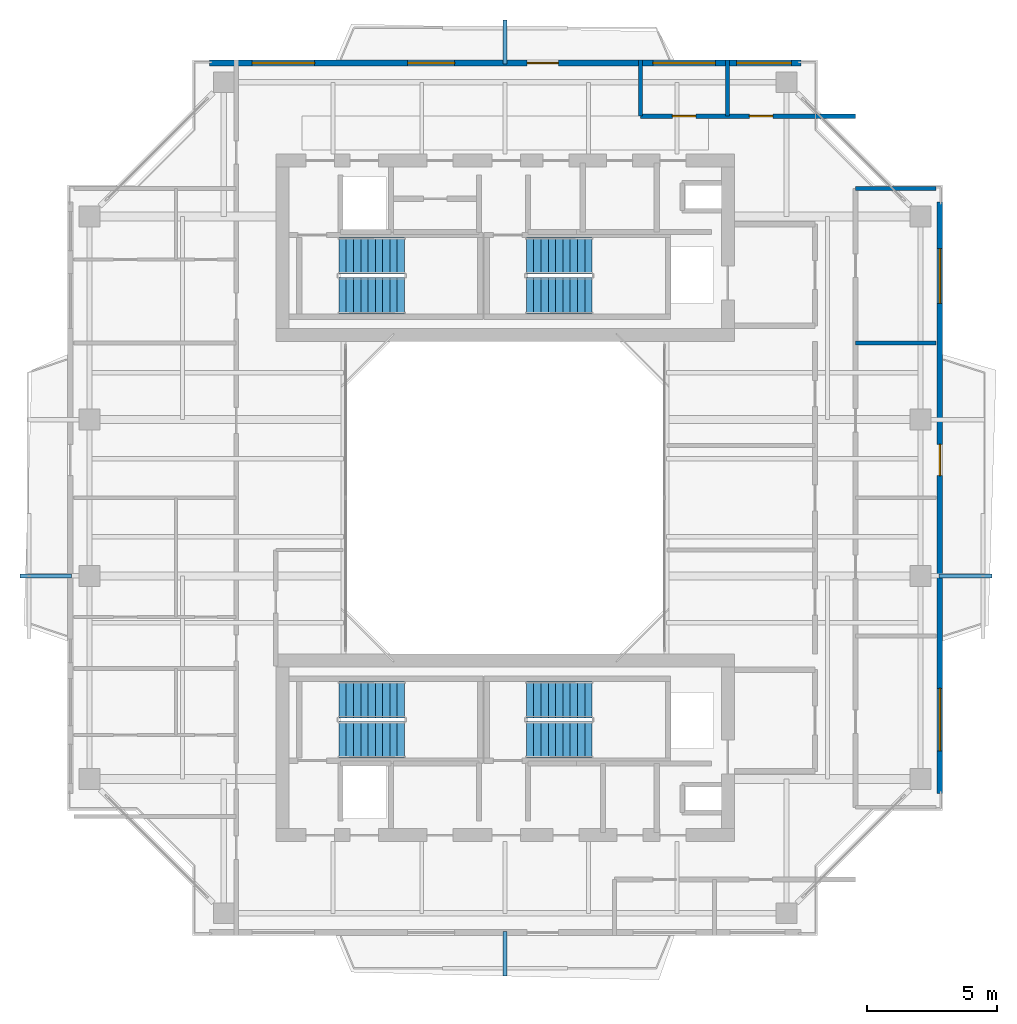
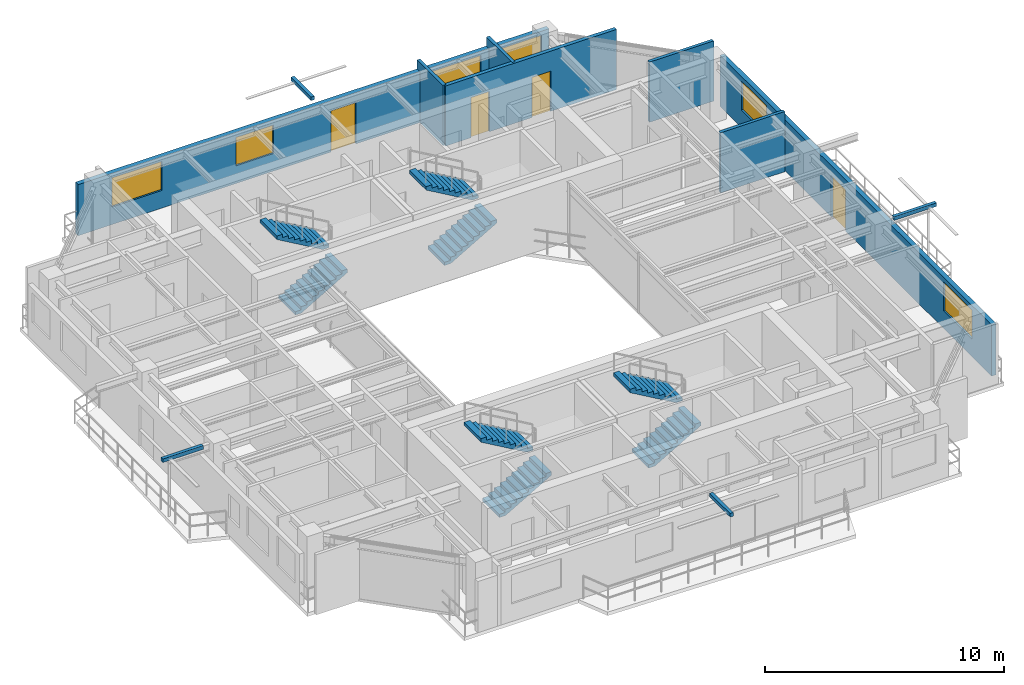
# One storey, part 13 of 16: 8 stair flights, 7 walls, 6 windows, 4 discrete accessories, 4 doors, 10 openings, 4 elements without a shape of their own.
"""IFC4 building model written with IfcOpenShell, lengths in metres."""

from ifc_helpers import new_model, si_unit, direction, frame, frame_2d, origin, origin_2d, place, context, subcontext, project, spatial, polyline, rectangle, outline, extrude, source, transform, mapped, material, layer, layer_set, type_object, element, fill, aggregate, save


model = new_model("IFC4")

# Units and contexts
model_context = context("Model", 3, precision=1e-05, world=origin(), true_north=direction((0.0, 1.0)))
body_context = subcontext(model_context, "Body", "Model", "MODEL_VIEW")
ifc_project = project(units=[si_unit("LENGTHUNIT", "METRE"), si_unit("AREAUNIT", "SQUARE_METRE"), si_unit("VOLUMEUNIT", "CUBIC_METRE"), si_unit("PLANEANGLEUNIT", "RADIAN"), si_unit("MASSUNIT", "GRAM", prefix="KILO"), si_unit("THERMODYNAMICTEMPERATUREUNIT", "KELVIN"), si_unit("POWERUNIT", "WATT")], contexts=[model_context])

# Site, building, storey
site_placement = place(None, origin())
site = spatial("IfcSite", under=ifc_project, at=site_placement, CompositionType="ELEMENT")
building_placement = place(site_placement, origin())
building = spatial("IfcBuilding", under=site, at=building_placement, Name="Qiaomeng Ring Towers", CompositionType="ELEMENT")
storey_placement = place(building_placement, frame((0.0, 0.0, 210.0)))
storey = spatial("IfcBuildingStorey", under=building, at=storey_placement, Name="L61", CompositionType="ELEMENT", Elevation=210.0)

# Wall, openings, windows, door
ifc_material_1 = material(Name="Precast concrete C40", Category="concrete")
ifc_layer_1 = layer(ifc_material_1, 0.219970703125, Name="Precast concrete C40")
ifc_layer_set_1 = layer_set([ifc_layer_1], Name="Precast concrete C40")
wall_type_1 = type_object("IfcWallType", Name="ARC-WL-EW2", PredefinedType="STANDARD", material=ifc_layer_set_1)
wall_1_placement = place(storey_placement, frame((7.64990234375, 39.68994140625, 0.0), z_axis=(0.0, 0.0, 1.0), x_axis=(1.0, 0.0, 0.0)))
wall_1 = element("IfcWall", 1, at=wall_1_placement, inside=storey, type_object=wall_type_1, Name="L61 Tower 1 N Exterior Wall", PredefinedType="STANDARD", context=body_context, shape_type="SweptSolid", body=[
    extrude(rectangle(XDim=22.7001953125, YDim=0.219970703125, at=frame_2d((11.35009765625, 0.0))), origin(), (0.0, 0.0, 1.0), 2.610107421875),
])
opening_1_placement = place(wall_1_placement, frame((12.199951171875, 0.0, 0.0)))
opening_1 = element("IfcOpeningElement", 2, at=opening_1_placement, cuts=wall_1, Name="Opening BD1", PredefinedType="OPENING", context=body_context, shape_type="SweptSolid", body=[
    extrude(rectangle(XDim=1.199951171875, YDim=2.10009765625, at=frame_2d((0.60009765625, 1.050048828125))), frame((0.0, 0.119873046875, 0.0), z_axis=(0.0, -1.0, 0.0), x_axis=(1.0, 0.0, 0.0)), (0.0, 0.0, 1.0), 0.239990234375),
])
opening_2_placement = place(wall_1_placement, frame((1.636962890625, 0.0, 0.89990234375)))
opening_2 = element("IfcOpeningElement", 3, at=opening_2_placement, cuts=wall_1, Name="Opening WN6", PredefinedType="OPENING", context=body_context, shape_type="SweptSolid", body=[
    extrude(rectangle(XDim=2.39990234375, YDim=1.47998046875, at=frame_2d((1.199951171875, 0.739990234375))), frame((0.0, 0.119873046875, 0.0), z_axis=(0.0, -1.0, 0.0), x_axis=(1.0, 0.0, 0.0)), (0.0, 0.0, 1.0), 0.239990234375),
])
opening_3_placement = place(wall_1_placement, frame((7.612060546875, 0.0, 0.89990234375)))
opening_3 = element("IfcOpeningElement", 4, at=opening_3_placement, cuts=wall_1, Name="Opening WN1", PredefinedType="OPENING", context=body_context, shape_type="SweptSolid", body=[
    extrude(rectangle(XDim=1.800048828125, YDim=1.449951171875, at=frame_2d((0.89990234375, 0.72509765625))), frame((0.0, 0.119873046875, 0.0), z_axis=(0.0, -1.0, 0.0), x_axis=(1.0, 0.0, 0.0)), (0.0, 0.0, 1.0), 0.239990234375),
])
opening_4_placement = place(wall_1_placement, frame((20.237548828125, 0.0, 0.89990234375)))
opening_4 = element("IfcOpeningElement", 5, at=opening_4_placement, cuts=wall_1, Name="Opening WN4", PredefinedType="OPENING", context=body_context, shape_type="SweptSolid", body=[
    extrude(rectangle(XDim=2.10009765625, YDim=1.5, at=frame_2d((1.050048828125, 0.75))), frame((0.0, 0.119873046875, 0.0), z_axis=(0.0, -1.0, 0.0), x_axis=(1.0, 0.0, 0.0)), (0.0, 0.0, 1.0), 0.239990234375),
])
opening_5_placement = place(wall_1_placement, frame((17.02001953125, 0.0, 0.89990234375)))
opening_5 = element("IfcOpeningElement", 6, at=opening_5_placement, cuts=wall_1, Name="Opening WN6", PredefinedType="OPENING", context=body_context, shape_type="SweptSolid", body=[
    extrude(rectangle(XDim=2.39990234375, YDim=1.5, at=frame_2d((1.199951171875, 0.75))), frame((0.0, 0.119873046875, 0.0), z_axis=(0.0, -1.0, 0.0), x_axis=(1.0, 0.0, 0.0)), (0.0, 0.0, 1.0), 0.239990234375),
])
ifc_material_2 = material(Name="Low-E dark-grey laminated double glazing", Category="glass")
window_type_1 = type_object("IfcWindowType", Name="ARC-WN-4", PartitioningType="TRIPLE_PANEL_VERTICAL", PredefinedType="WINDOW", material=ifc_material_2)
shared_shape_1 = source(origin(), body_context, "Body", "SweptSolid", [
    extrude(rectangle(XDim=2.10009765625, YDim=1.5, at=frame_2d((1.050048828125, 0.75))), frame((0.0, 0.030029296875, 0.0), z_axis=(0.0, -1.0, 0.0), x_axis=(1.0, 0.0, 0.0)), (0.0, 0.0, 1.0), 0.06005859375),
])
window_1_placement = place(opening_4_placement, origin())
window_1 = element("IfcWindow", 7, at=window_1_placement, inside=storey, type_object=window_type_1, Name="L61 Exterior Window WN4", OverallHeight=1.5, OverallWidth=2.10009765625, PartitioningType="TRIPLE_PANEL_VERTICAL", PredefinedType="WINDOW", context=body_context, shape_type="MappedRepresentation", body=[
    mapped(shared_shape_1, transform((0.0, 0.0, 0.0), x_axis=(1.0, 0.0, 0.0), y_axis=(0.0, 1.0, 0.0), z_axis=(0.0, 0.0, 1.0), scale=1.0)),
])
fill(opening_4, window_1)
window_type_2 = type_object("IfcWindowType", Name="ARC-WN-1", PartitioningType="DOUBLE_PANEL_VERTICAL", PredefinedType="WINDOW", material=ifc_material_2)
shared_shape_2 = source(origin(), body_context, "Body", "SweptSolid", [
    extrude(rectangle(XDim=1.800048828125, YDim=1.449951171875, at=frame_2d((0.89990234375, 0.72509765625))), frame((0.0, 0.030029296875, 0.0), z_axis=(0.0, -1.0, 0.0), x_axis=(1.0, 0.0, 0.0)), (0.0, 0.0, 1.0), 0.06005859375),
])
window_2_placement = place(opening_3_placement, origin())
window_2 = element("IfcWindow", 8, at=window_2_placement, inside=storey, type_object=window_type_2, Name="L61 Exterior Window WN1", OverallHeight=1.449951171875, OverallWidth=1.800048828125, PartitioningType="DOUBLE_PANEL_VERTICAL", PredefinedType="WINDOW", context=body_context, shape_type="MappedRepresentation", body=[
    mapped(shared_shape_2, transform((0.0, 0.0, 0.0), x_axis=(1.0, 0.0, 0.0), y_axis=(0.0, 1.0, 0.0), z_axis=(0.0, 0.0, 1.0), scale=1.0)),
])
fill(opening_3, window_2)
window_type_3 = type_object("IfcWindowType", Name="ARC-WN-6", PartitioningType="TRIPLE_PANEL_VERTICAL", PredefinedType="WINDOW", material=ifc_material_2)
shared_shape_3 = source(origin(), body_context, "Body", "SweptSolid", [
    extrude(rectangle(XDim=2.39990234375, YDim=1.47998046875, at=frame_2d((1.199951171875, 0.739990234375))), frame((0.0, 0.030029296875, 0.0), z_axis=(0.0, -1.0, 0.0), x_axis=(1.0, 0.0, 0.0)), (0.0, 0.0, 1.0), 0.06005859375),
])
window_3_placement = place(opening_2_placement, origin())
window_3 = element("IfcWindow", 9, at=window_3_placement, inside=storey, type_object=window_type_3, Name="L61 Exterior Window WN6", OverallHeight=1.47998046875, OverallWidth=2.39990234375, PartitioningType="TRIPLE_PANEL_VERTICAL", PredefinedType="WINDOW", context=body_context, shape_type="MappedRepresentation", body=[
    mapped(shared_shape_3, transform((0.0, 0.0, 0.0), x_axis=(1.0, 0.0, 0.0), y_axis=(0.0, 1.0, 0.0), z_axis=(0.0, 0.0, 1.0), scale=1.0)),
])
fill(opening_2, window_3)
door_type_1 = type_object("IfcDoorType", Name="ARC-DR-BD1", OperationType="NOTDEFINED", PredefinedType="DOOR", material=ifc_material_2)
shared_shape_4 = source(origin(), body_context, "Body", "SweptSolid", [
    extrude(rectangle(XDim=1.199951171875, YDim=2.10009765625, at=frame_2d((0.60009765625, 1.050048828125))), frame((0.0, 0.02490234375, 0.0), z_axis=(0.0, -1.0, 0.0), x_axis=(1.0, 0.0, 0.0)), (0.0, 0.0, 1.0), 0.050048828125),
])
door_1_placement = place(opening_1_placement, origin())
door_1 = element("IfcDoor", 10, at=door_1_placement, inside=storey, type_object=door_type_1, Name="L61 N Balcony Glazed Door", OperationType="SINGLE_SWING_LEFT", OverallHeight=2.10009765625, OverallWidth=1.199951171875, PredefinedType="DOOR", context=body_context, shape_type="MappedRepresentation", body=[
    mapped(shared_shape_4, transform((0.0, 0.0, 0.0), x_axis=(1.0, 0.0, 0.0), y_axis=(0.0, 1.0, 0.0), z_axis=(0.0, 0.0, 1.0), scale=1.0)),
])
fill(opening_1, door_1)
shared_shape_5 = source(origin(), body_context, "Body", "SweptSolid", [
    extrude(rectangle(XDim=2.39990234375, YDim=1.5, at=frame_2d((1.199951171875, 0.75))), frame((0.0, 0.030029296875, 0.0), z_axis=(0.0, -1.0, 0.0), x_axis=(1.0, 0.0, 0.0)), (0.0, 0.0, 1.0), 0.06005859375),
])
window_4_placement = place(opening_5_placement, origin())
window_4 = element("IfcWindow", 11, at=window_4_placement, inside=storey, type_object=window_type_3, Name="L61 Exterior Window WN6", OverallHeight=1.5, OverallWidth=2.39990234375, PartitioningType="TRIPLE_PANEL_VERTICAL", PredefinedType="WINDOW", context=body_context, shape_type="MappedRepresentation", body=[
    mapped(shared_shape_5, transform((0.0, 0.0, 0.0), x_axis=(1.0, 0.0, 0.0), y_axis=(0.0, 1.0, 0.0), z_axis=(0.0, 0.0, 1.0), scale=1.0)),
])
fill(opening_5, window_4)

wall_2_placement = place(storey_placement, frame((35.68994140625, 11.64990234375, 0.0), z_axis=(0.0, 0.0, 1.0), x_axis=(0.0, 1.0, 0.0)))
wall_2 = element("IfcWall", 12, at=wall_2_placement, inside=storey, type_object=wall_type_1, Name="L61 Tower 1 E Exterior Wall", PredefinedType="STANDARD", context=body_context, shape_type="SweptSolid", body=[
    extrude(rectangle(XDim=22.7001953125, YDim=0.219970703125, at=frame_2d((11.35009765625, 0.0))), origin(), (0.0, 0.0, 1.0), 2.610107421875),
])
opening_6_placement = place(wall_2_placement, frame((12.199951171875, 0.0, 0.0)))
opening_6 = element("IfcOpeningElement", 13, at=opening_6_placement, cuts=wall_2, Name="Opening BD1", PredefinedType="OPENING", context=body_context, shape_type="SweptSolid", body=[
    extrude(rectangle(XDim=1.199951171875, YDim=2.10009765625, at=frame_2d((0.60009765625, 1.050048828125))), frame((0.0, 0.119873046875, 0.0), z_axis=(0.0, -1.0, 0.0), x_axis=(1.0, 0.0, 0.0)), (0.0, 0.0, 1.0), 0.239990234375),
])
opening_7_placement = place(wall_2_placement, frame((1.637939453125, 0.0, 0.89990234375)))
opening_7 = element("IfcOpeningElement", 14, at=opening_7_placement, cuts=wall_2, Name="Opening WN6", PredefinedType="OPENING", context=body_context, shape_type="SweptSolid", body=[
    extrude(rectangle(XDim=2.39990234375, YDim=1.47998046875, at=frame_2d((1.199951171875, 0.739990234375))), frame((0.0, 0.119873046875, 0.0), z_axis=(0.0, -1.0, 0.0), x_axis=(1.0, 0.0, 0.0)), (0.0, 0.0, 1.0), 0.239990234375),
])
opening_8_placement = place(wall_2_placement, frame((18.81298828125, 0.0, 0.89990234375)))
opening_8 = element("IfcOpeningElement", 15, at=opening_8_placement, cuts=wall_2, Name="Opening WN4", PredefinedType="OPENING", context=body_context, shape_type="SweptSolid", body=[
    extrude(rectangle(XDim=2.10009765625, YDim=1.47998046875, at=frame_2d((1.050048828125, 0.739990234375))), frame((0.0, 0.119873046875, 0.0), z_axis=(0.0, -1.0, 0.0), x_axis=(1.0, 0.0, 0.0)), (0.0, 0.0, 1.0), 0.239990234375),
])
shared_shape_6 = source(origin(), body_context, "Body", "SweptSolid", [
    extrude(rectangle(XDim=2.10009765625, YDim=1.47998046875, at=frame_2d((1.050048828125, 0.739990234375))), frame((0.0, 0.030029296875, 0.0), z_axis=(0.0, -1.0, 0.0), x_axis=(1.0, 0.0, 0.0)), (0.0, 0.0, 1.0), 0.06005859375),
])
window_5_placement = place(opening_8_placement, origin())
window_5 = element("IfcWindow", 16, at=window_5_placement, inside=storey, type_object=window_type_1, Name="L61 Exterior Window WN4", OverallHeight=1.47998046875, OverallWidth=2.10009765625, PartitioningType="TRIPLE_PANEL_VERTICAL", PredefinedType="WINDOW", context=body_context, shape_type="MappedRepresentation", body=[
    mapped(shared_shape_6, transform((0.0, 0.0, 0.0), x_axis=(1.0, 0.0, 0.0), y_axis=(0.0, 1.0, 0.0), z_axis=(0.0, 0.0, 1.0), scale=1.0)),
])
fill(opening_8, window_5)
window_6_placement = place(opening_7_placement, origin())
window_6 = element("IfcWindow", 17, at=window_6_placement, inside=storey, type_object=window_type_3, Name="L61 Exterior Window WN6", OverallHeight=1.47998046875, OverallWidth=2.39990234375, PartitioningType="TRIPLE_PANEL_VERTICAL", PredefinedType="WINDOW", context=body_context, shape_type="MappedRepresentation", body=[
    mapped(shared_shape_3, transform((0.0, 0.0, 0.0), x_axis=(1.0, 0.0, 0.0), y_axis=(0.0, 1.0, 0.0), z_axis=(0.0, 0.0, 1.0), scale=1.0)),
])
fill(opening_7, window_6)
door_2_placement = place(opening_6_placement, origin())
door_2 = element("IfcDoor", 18, at=door_2_placement, inside=storey, type_object=door_type_1, Name="L61 E Balcony Glazed Door", OperationType="SINGLE_SWING_LEFT", OverallHeight=2.10009765625, OverallWidth=1.199951171875, PredefinedType="DOOR", context=body_context, shape_type="MappedRepresentation", body=[
    mapped(shared_shape_4, transform((0.0, 0.0, 0.0), x_axis=(1.0, 0.0, 0.0), y_axis=(0.0, 1.0, 0.0), z_axis=(0.0, 0.0, 1.0), scale=1.0)),
])
fill(opening_6, door_2)

# Wall, openings, doors
ifc_material_3 = material(Name="Autoclaved aerated concrete block", Category="concrete")
ifc_layer_2 = layer(ifc_material_3, 0.179931640625, Name="Autoclaved aerated concrete block")
ifc_layer_set_2 = layer_set([ifc_layer_2], Name="Autoclaved aerated concrete block")
wall_type_2 = type_object("IfcWallType", Name="ARC-WL-PW2", PredefinedType="PARTITIONING", material=ifc_layer_set_2)
wall_3_placement = place(storey_placement, frame((24.199951171875, 37.64990234375, 0.0), z_axis=(0.0, 0.0, 1.0), x_axis=(1.0, 0.0, 0.0)))
wall_3 = element("IfcWall", 19, at=wall_3_placement, inside=storey, type_object=wall_type_2, Name="L61 Interior Wall PW2", PredefinedType="PARTITIONING", context=body_context, shape_type="SweptSolid", body=[
    extrude(rectangle(XDim=8.25, YDim=0.179931640625, at=frame_2d((4.125, 0.0))), origin(), (0.0, 0.0, 1.0), 3.070068359375),
])
opening_9_placement = place(wall_3_placement, frame((1.219970703125, 0.0, 0.0)))
opening_9 = element("IfcOpeningElement", 20, at=opening_9_placement, cuts=wall_3, Name="Opening ID1", PredefinedType="OPENING", context=body_context, shape_type="SweptSolid", body=[
    extrude(rectangle(XDim=0.89990234375, YDim=2.050048828125, at=frame_2d((0.449951171875, 1.02490234375))), frame((0.0, 0.099853515625, 0.0), z_axis=(0.0, -1.0, 0.0), x_axis=(1.0, 0.0, 0.0)), (0.0, 0.0, 1.0), 0.199951171875),
])
opening_10_placement = place(wall_3_placement, frame((4.177001953125, 0.0, 0.0)))
opening_10 = element("IfcOpeningElement", 21, at=opening_10_placement, cuts=wall_3, Name="Opening ID1", PredefinedType="OPENING", context=body_context, shape_type="SweptSolid", body=[
    extrude(rectangle(XDim=0.89990234375, YDim=2.050048828125, at=frame_2d((0.449951171875, 1.02490234375))), frame((0.0, 0.099853515625, 0.0), z_axis=(0.0, -1.0, 0.0), x_axis=(1.0, 0.0, 0.0)), (0.0, 0.0, 1.0), 0.199951171875),
])
ifc_material_4 = material(Name="Engineered oak timber", Category="wood")
door_type_2 = type_object("IfcDoorType", Name="ARC-DR-ID1", OperationType="NOTDEFINED", PredefinedType="DOOR", material=ifc_material_4)
shared_shape_7 = source(origin(), body_context, "Body", "SweptSolid", [
    extrude(rectangle(XDim=0.89990234375, YDim=2.050048828125, at=frame_2d((0.449951171875, 1.02490234375))), frame((0.0, 0.02490234375, 0.0), z_axis=(0.0, -1.0, 0.0), x_axis=(1.0, 0.0, 0.0)), (0.0, 0.0, 1.0), 0.050048828125),
])
door_3_placement = place(opening_9_placement, origin())
door_3 = element("IfcDoor", 22, at=door_3_placement, inside=storey, type_object=door_type_2, Name="L61 Door ID1", OperationType="SINGLE_SWING_LEFT", OverallHeight=2.050048828125, OverallWidth=0.89990234375, PredefinedType="DOOR", context=body_context, shape_type="MappedRepresentation", body=[
    mapped(shared_shape_7, transform((0.0, 0.0, 0.0), x_axis=(1.0, 0.0, 0.0), y_axis=(0.0, 1.0, 0.0), z_axis=(0.0, 0.0, 1.0), scale=1.0)),
])
fill(opening_9, door_3)
door_4_placement = place(opening_10_placement, origin())
door_4 = element("IfcDoor", 23, at=door_4_placement, inside=storey, type_object=door_type_2, Name="L61 Door ID1", OperationType="SINGLE_SWING_RIGHT", OverallHeight=2.050048828125, OverallWidth=0.89990234375, PredefinedType="DOOR", context=body_context, shape_type="MappedRepresentation", body=[
    mapped(shared_shape_7, transform((0.0, 0.0, 0.0), x_axis=(1.0, 0.0, 0.0), y_axis=(0.0, 1.0, 0.0), z_axis=(0.0, 0.0, 1.0), scale=1.0)),
])
fill(opening_10, door_4)

# Walls
ifc_material_5 = material(Name="Gypsum fireboard steel-stud partition", Category="steel")
ifc_layer_3 = layer(ifc_material_5, 0.14990234375, Name="Gypsum fireboard steel-stud partition")
ifc_layer_set_3 = layer_set([ifc_layer_3], Name="Gypsum fireboard steel-stud partition")
wall_type_3 = type_object("IfcWallType", Name="ARC-WL-PW3", PredefinedType="PARTITIONING", material=ifc_layer_set_3)
for number, where, z_axis, x_axis, name in (
    (24, (24.199951171875, 37.64990234375, 0.0), (0.0, 0.0, 1.0), (0.0, 1.0, 0.0), "L61 Interior Wall PW3"),
    (25, (27.5400390625, 37.64990234375, 0.0), (0.0, 0.0, 1.0), (0.0, 1.0, 0.0), "L61 Interior Wall PW3"),
):
    element("IfcWall", number, at=place(storey_placement, frame(where, z_axis=z_axis, x_axis=x_axis)), inside=storey, type_object=wall_type_3, Name=name, PredefinedType="PARTITIONING", context=body_context, shape_type="SweptSolid", body=[
        extrude(rectangle(XDim=2.150146484375, YDim=0.14990234375, at=frame_2d((1.0751953125, 0.0))), origin(), (0.0, 0.0, 1.0), 3.070068359375),
    ])
for number, where, z_axis, x_axis, name in (
    (26, (32.449951171875, 34.8798828125, 0.0), (0.0, 0.0, 1.0), (1.0, 0.0, 0.0), "L61 Interior Wall PW3"),
    (27, (32.449951171875, 28.93994140625, 0.0), (0.0, 0.0, 1.0), (1.0, 0.0, 0.0), "L61 Interior Wall PW3"),
):
    element("IfcWall", number, at=place(storey_placement, frame(where, z_axis=z_axis, x_axis=x_axis)), inside=storey, type_object=wall_type_3, Name=name, PredefinedType="PARTITIONING", context=body_context, shape_type="SweptSolid", body=[
        extrude(rectangle(XDim=3.10009765625, YDim=0.14990234375, at=frame_2d((1.550048828125, 0.0))), origin(), (0.0, 0.0, 1.0), 3.070068359375),
    ])

# Stair, stair flights
stair_type = type_object("IfcStairType", Name="ARC-ST-325", PredefinedType="HALF_TURN_STAIR", material=ifc_material_1)
stair_1_placement = place(storey_placement, origin())
stair_1 = element("IfcStair", 28, at=stair_1_placement, inside=storey, type_object=stair_type, Name="L61 Tower 1 North Stair 1", PredefinedType="HALF_TURN_STAIR")
stair_flight_type = type_object("IfcStairFlightType", Name="ARC-ST-325-FL", PredefinedType="STRAIGHT", material=ifc_material_1)
shared_shape_8 = source(origin(), body_context, "Body", "SweptSolid", [
    extrude(outline(polyline([(0.0, 0.0), (0.0, 0.16259765625), (0.280029296875, 0.16259765625), (0.280029296875, 0.324951171875), (0.56005859375, 0.324951171875), (0.56005859375, 0.487548828125), (0.840087890625, 0.487548828125), (0.840087890625, 0.64990234375), (1.1201171875, 0.64990234375), (1.1201171875, 0.8125), (1.39990234375, 0.8125), (1.39990234375, 0.97509765625), (1.679931640625, 0.97509765625), (1.679931640625, 1.137451171875), (1.9599609375, 1.137451171875), (1.9599609375, 1.300048828125), (2.239990234375, 1.300048828125), (2.239990234375, 1.46240234375), (2.52001953125, 1.46240234375), (2.52001953125, 1.625), (2.52001953125, 1.2890625), (0.298583984375, 0.0), (0.0, 0.0)])), frame((0.0, 0.699951171875, 0.0), z_axis=(0.0, -1.0, 0.0), x_axis=(1.0, 0.0, 0.0)), (0.0, 0.0, 1.0), 1.39990234375),
])
stair_flight_1_placement = place(storey_placement, frame((12.6201171875, 30.75, 0.0), z_axis=(0.0, 0.0, 1.0), x_axis=(1.0, 0.0, 0.0)))
stair_flight_1 = element("IfcStairFlight", 29, at=stair_flight_1_placement, type_object=stair_flight_type, Name="ST1 flight 1", NumberOfRisers=10, NumberOfTreads=9, PredefinedType="STRAIGHT", RiserHeight=0.1625, TreadLength=0.28, context=body_context, shape_type="MappedRepresentation", body=[
    mapped(shared_shape_8, transform((0.0, 0.0, 0.0), x_axis=(1.0, 0.0, 0.0), y_axis=(0.0, 1.0, 0.0), z_axis=(0.0, 0.0, 1.0), scale=1.0)),
])
stair_flight_2_placement = place(storey_placement, frame((15.139892578125, 32.2900390625, 1.625), z_axis=(0.0, 0.0, 1.0), x_axis=(-1.0, 0.0, 0.0)))
stair_flight_2 = element("IfcStairFlight", 30, at=stair_flight_2_placement, type_object=stair_flight_type, Name="ST1 flight 2", NumberOfRisers=10, NumberOfTreads=9, PredefinedType="STRAIGHT", RiserHeight=0.1625, TreadLength=0.28, context=body_context, shape_type="MappedRepresentation", body=[
    mapped(shared_shape_8, transform((0.0, 0.0, 0.0), x_axis=(1.0, 0.0, 0.0), y_axis=(0.0, 1.0, 0.0), z_axis=(0.0, 0.0, 1.0), scale=1.0)),
])
aggregate(stair_1, [stair_flight_1, stair_flight_2])

stair_2_placement = place(storey_placement, origin())
stair_2 = element("IfcStair", 31, at=stair_2_placement, inside=storey, type_object=stair_type, Name="L61 Tower 1 North Stair 2", PredefinedType="HALF_TURN_STAIR")
stair_flight_3_placement = place(storey_placement, frame((19.820068359375, 30.75, 0.0), z_axis=(0.0, 0.0, 1.0), x_axis=(1.0, 0.0, 0.0)))
stair_flight_3 = element("IfcStairFlight", 32, at=stair_flight_3_placement, type_object=stair_flight_type, Name="ST2 flight 1", NumberOfRisers=10, NumberOfTreads=9, PredefinedType="STRAIGHT", RiserHeight=0.1625, TreadLength=0.28, context=body_context, shape_type="MappedRepresentation", body=[
    mapped(shared_shape_8, transform((0.0, 0.0, 0.0), x_axis=(1.0, 0.0, 0.0), y_axis=(0.0, 1.0, 0.0), z_axis=(0.0, 0.0, 1.0), scale=1.0)),
])
stair_flight_4_placement = place(storey_placement, frame((22.340087890625, 32.2900390625, 1.625), z_axis=(0.0, 0.0, 1.0), x_axis=(-1.0, 0.0, 0.0)))
stair_flight_4 = element("IfcStairFlight", 33, at=stair_flight_4_placement, type_object=stair_flight_type, Name="ST2 flight 2", NumberOfRisers=10, NumberOfTreads=9, PredefinedType="STRAIGHT", RiserHeight=0.1625, TreadLength=0.28, context=body_context, shape_type="MappedRepresentation", body=[
    mapped(shared_shape_8, transform((0.0, 0.0, 0.0), x_axis=(1.0, 0.0, 0.0), y_axis=(0.0, 1.0, 0.0), z_axis=(0.0, 0.0, 1.0), scale=1.0)),
])
aggregate(stair_2, [stair_flight_3, stair_flight_4])

stair_3_placement = place(storey_placement, origin())
stair_3 = element("IfcStair", 34, at=stair_3_placement, inside=storey, type_object=stair_type, Name="L61 Tower 1 South Stair 3", PredefinedType="HALF_TURN_STAIR")
stair_flight_5_placement = place(storey_placement, frame((12.6201171875, 13.7099609375, 0.0), z_axis=(0.0, 0.0, 1.0), x_axis=(1.0, 0.0, 0.0)))
stair_flight_5 = element("IfcStairFlight", 35, at=stair_flight_5_placement, type_object=stair_flight_type, Name="ST3 flight 1", NumberOfRisers=10, NumberOfTreads=9, PredefinedType="STRAIGHT", RiserHeight=0.1625, TreadLength=0.28, context=body_context, shape_type="MappedRepresentation", body=[
    mapped(shared_shape_8, transform((0.0, 0.0, 0.0), x_axis=(1.0, 0.0, 0.0), y_axis=(0.0, 1.0, 0.0), z_axis=(0.0, 0.0, 1.0), scale=1.0)),
])
stair_flight_6_placement = place(storey_placement, frame((15.139892578125, 15.25, 1.625), z_axis=(0.0, 0.0, 1.0), x_axis=(-1.0, 0.0, 0.0)))
stair_flight_6 = element("IfcStairFlight", 36, at=stair_flight_6_placement, type_object=stair_flight_type, Name="ST3 flight 2", NumberOfRisers=10, NumberOfTreads=9, PredefinedType="STRAIGHT", RiserHeight=0.1625, TreadLength=0.28, context=body_context, shape_type="MappedRepresentation", body=[
    mapped(shared_shape_8, transform((0.0, 0.0, 0.0), x_axis=(1.0, 0.0, 0.0), y_axis=(0.0, 1.0, 0.0), z_axis=(0.0, 0.0, 1.0), scale=1.0)),
])
aggregate(stair_3, [stair_flight_5, stair_flight_6])

stair_4_placement = place(storey_placement, origin())
stair_4 = element("IfcStair", 37, at=stair_4_placement, inside=storey, type_object=stair_type, Name="L61 Tower 1 South Stair 4", PredefinedType="HALF_TURN_STAIR")
stair_flight_7_placement = place(storey_placement, frame((19.820068359375, 13.7099609375, 0.0), z_axis=(0.0, 0.0, 1.0), x_axis=(1.0, 0.0, 0.0)))
stair_flight_7 = element("IfcStairFlight", 38, at=stair_flight_7_placement, type_object=stair_flight_type, Name="ST4 flight 1", NumberOfRisers=10, NumberOfTreads=9, PredefinedType="STRAIGHT", RiserHeight=0.1625, TreadLength=0.28, context=body_context, shape_type="MappedRepresentation", body=[
    mapped(shared_shape_8, transform((0.0, 0.0, 0.0), x_axis=(1.0, 0.0, 0.0), y_axis=(0.0, 1.0, 0.0), z_axis=(0.0, 0.0, 1.0), scale=1.0)),
])
stair_flight_8_placement = place(storey_placement, frame((22.340087890625, 15.25, 1.625), z_axis=(0.0, 0.0, 1.0), x_axis=(-1.0, 0.0, 0.0)))
stair_flight_8 = element("IfcStairFlight", 39, at=stair_flight_8_placement, type_object=stair_flight_type, Name="ST4 flight 2", NumberOfRisers=10, NumberOfTreads=9, PredefinedType="STRAIGHT", RiserHeight=0.1625, TreadLength=0.28, context=body_context, shape_type="MappedRepresentation", body=[
    mapped(shared_shape_8, transform((0.0, 0.0, 0.0), x_axis=(1.0, 0.0, 0.0), y_axis=(0.0, 1.0, 0.0), z_axis=(0.0, 0.0, 1.0), scale=1.0)),
])
aggregate(stair_4, [stair_flight_7, stair_flight_8])

# Discrete accessories
ifc_material_6 = material(Name="Stainless steel 316", Category="steel")
discrete_accessory_type = type_object("IfcDiscreteAccessoryType", Name="ARC-ACC-BRACKET", PredefinedType="BRACKET", material=ifc_material_6)
shared_shape_9 = source(origin(), body_context, "Body", "SweptSolid", [
    extrude(rectangle(XDim=2.050048828125, YDim=0.159912109375, at=origin_2d()), origin(), (0.0, 0.0, 1.0), 0.179931640625),
])
discrete_accessory_1_placement = place(storey_placement, frame((36.675048828125, 20.0, 2.89990234375), z_axis=(0.0, 0.0, 1.0), x_axis=(1.0, 0.0, 0.0)))
element("IfcDiscreteAccessory", 40, at=discrete_accessory_1_placement, inside=storey, type_object=discrete_accessory_type, Name="L61 Stainless Outer-Skin Tie Bracket E", PredefinedType="BRACKET", context=body_context, shape_type="MappedRepresentation", body=[
    mapped(shared_shape_9, transform((0.0, 0.0, 0.0), x_axis=(1.0, 0.0, 0.0), y_axis=(0.0, 1.0, 0.0), z_axis=(0.0, 0.0, 1.0), scale=1.0)),
])
shared_shape_10 = source(origin(), body_context, "Body", "SweptSolid", [
    extrude(rectangle(XDim=0.159912109375, YDim=1.7099609375, at=origin_2d()), origin(), (0.0, 0.0, 1.0), 0.179931640625),
])
discrete_accessory_2_placement = place(storey_placement, frame((19.0, 5.4951171875, 2.89990234375), z_axis=(0.0, 0.0, 1.0), x_axis=(1.0, 0.0, 0.0)))
element("IfcDiscreteAccessory", 41, at=discrete_accessory_2_placement, inside=storey, type_object=discrete_accessory_type, Name="L61 Stainless Outer-Skin Tie Bracket S", PredefinedType="BRACKET", context=body_context, shape_type="MappedRepresentation", body=[
    mapped(shared_shape_10, transform((0.0, 0.0, 0.0), x_axis=(1.0, 0.0, 0.0), y_axis=(0.0, 1.0, 0.0), z_axis=(0.0, 0.0, 1.0), scale=1.0)),
])
shared_shape_11 = source(origin(), body_context, "Body", "SweptSolid", [
    extrude(rectangle(XDim=0.159912109375, YDim=1.68994140625, at=origin_2d()), origin(), (0.0, 0.0, 1.0), 0.179931640625),
])
discrete_accessory_3_placement = place(storey_placement, frame((19.0, 40.4951171875, 2.89990234375), z_axis=(0.0, 0.0, 1.0), x_axis=(1.0, 0.0, 0.0)))
element("IfcDiscreteAccessory", 42, at=discrete_accessory_3_placement, inside=storey, type_object=discrete_accessory_type, Name="L61 Stainless Outer-Skin Tie Bracket N", PredefinedType="BRACKET", context=body_context, shape_type="MappedRepresentation", body=[
    mapped(shared_shape_11, transform((0.0, 0.0, 0.0), x_axis=(1.0, 0.0, 0.0), y_axis=(0.0, 1.0, 0.0), z_axis=(0.0, 0.0, 1.0), scale=1.0)),
])
shared_shape_12 = source(origin(), body_context, "Body", "SweptSolid", [
    extrude(rectangle(XDim=1.969970703125, YDim=0.159912109375, at=origin_2d()), origin(), (0.0, 0.0, 1.0), 0.179931640625),
])
discrete_accessory_4_placement = place(storey_placement, frame((1.364990234375, 20.0, 2.89990234375), z_axis=(0.0, 0.0, 1.0), x_axis=(1.0, 0.0, 0.0)))
element("IfcDiscreteAccessory", 43, at=discrete_accessory_4_placement, inside=storey, type_object=discrete_accessory_type, Name="L61 Stainless Outer-Skin Tie Bracket W", PredefinedType="BRACKET", context=body_context, shape_type="MappedRepresentation", body=[
    mapped(shared_shape_12, transform((0.0, 0.0, 0.0), x_axis=(1.0, 0.0, 0.0), y_axis=(0.0, 1.0, 0.0), z_axis=(0.0, 0.0, 1.0), scale=1.0)),
])

save(model, "model.ifc")
